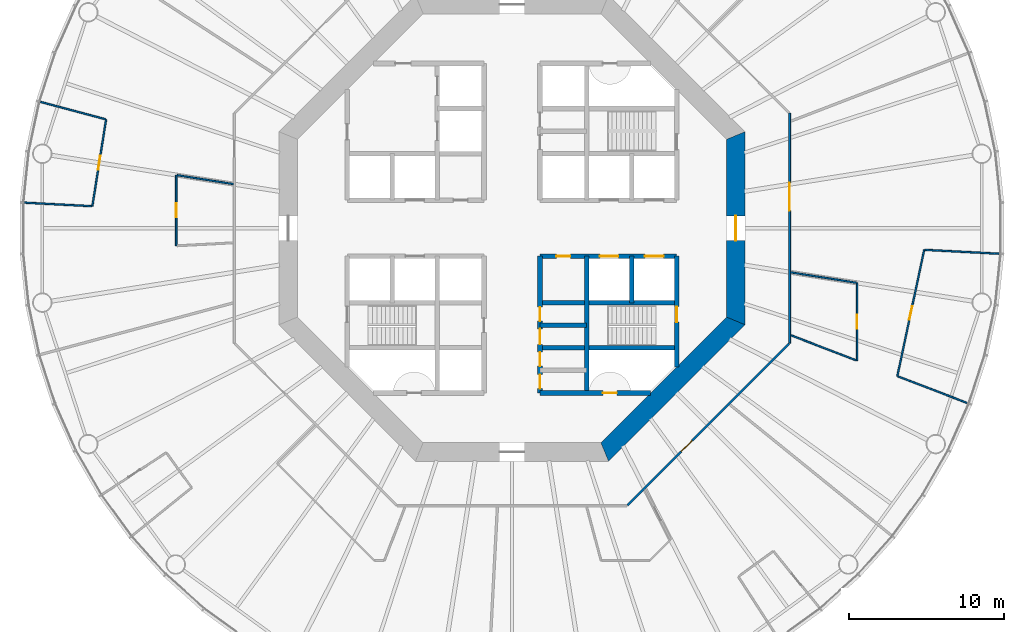
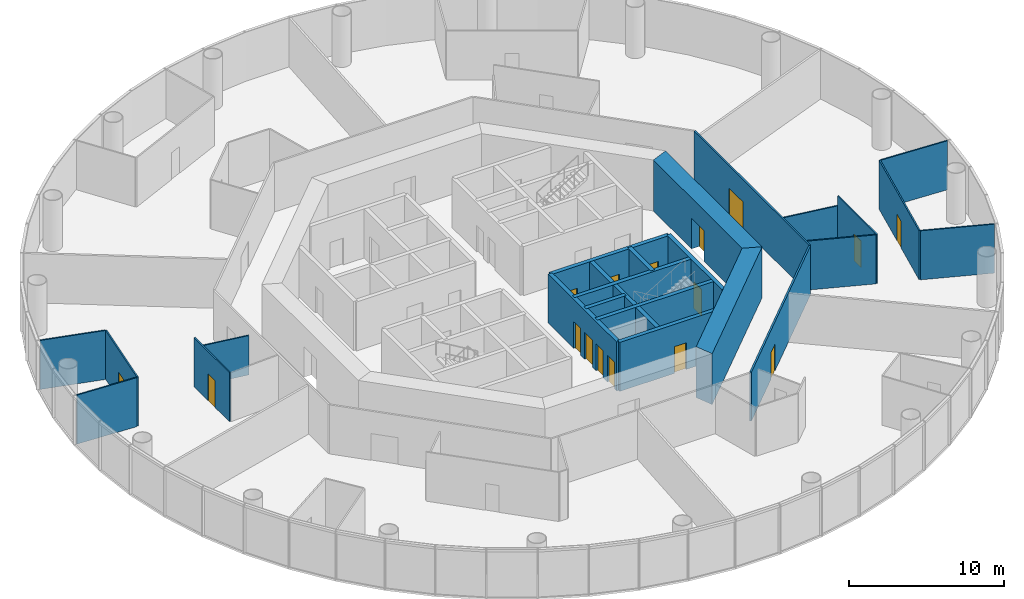
# One storey, part 4 of 13: 24 walls, 16 doors, 16 openings.
"""IFC4 building model written with IfcOpenShell, lengths in metres."""

from ifc_helpers import new_model, si_unit, direction, frame, frame_2d, origin, place, context, subcontext, project, spatial, polyline, rectangle, outline, extrude, material, layer, layer_set, type_object, element, fill, save


model = new_model("IFC4")

# Units and contexts
model_context = context("Model", 3, precision=1e-05, world=origin(), true_north=direction((0.0, 1.0)))
body_context = subcontext(model_context, "Body", "Model", "MODEL_VIEW")
ifc_project = project(units=[si_unit("LENGTHUNIT", "METRE"), si_unit("AREAUNIT", "SQUARE_METRE"), si_unit("VOLUMEUNIT", "CUBIC_METRE"), si_unit("PLANEANGLEUNIT", "RADIAN"), si_unit("MASSUNIT", "GRAM", prefix="KILO")], contexts=[model_context])

# Site, building, storey
site_placement = place(None, origin())
site = spatial("IfcSite", under=ifc_project, at=site_placement, CompositionType="ELEMENT")
building_placement = place(site_placement, origin())
building = spatial("IfcBuilding", under=site, at=building_placement, Name="Entoto Ring Tower", CompositionType="ELEMENT")
storey_placement = place(building_placement, frame((0.0, 0.0, 84.0)))
storey = spatial("IfcBuildingStorey", under=building, at=storey_placement, Name="L18", CompositionType="ELEMENT", Elevation=84.0)

# Wall, opening, door
ifc_material_1 = material(Name="Concrete C40/50", Category="concrete")
ifc_layer_1 = layer(ifc_material_1, 0.300048828125)
ifc_layer_set_1 = layer_set([ifc_layer_1], Name="Concrete C40/50")
wall_type_1 = type_object("IfcWallType", Name="Core enclosure wall 300 mm reinforced concrete", PredefinedType="SOLIDWALL", material=ifc_layer_set_1)
wall_1_placement = place(storey_placement, frame((100.60009765625, 71.083984375, 0.0), z_axis=(0.0, 0.0, 1.0), x_axis=(0.0, 1.0, 0.0)))
wall_1 = element("IfcWall", 1, at=wall_1_placement, inside=storey, type_object=wall_type_1, Name="wall-L18-001", PredefinedType="SOLIDWALL", context=body_context, shape_type="SweptSolid", body=[
    extrude(rectangle(XDim=7.115966796875, YDim=0.300048828125, at=frame_2d((3.55810546875, 0.0))), origin(), (0.0, 0.0, 1.0), 3.85009765625),
])
opening_1_placement = place(wall_1_placement, frame((2.8662109375, 0.0, 0.0)))
opening_1 = element("IfcOpeningElement", 2, at=opening_1_placement, cuts=wall_1, Name="Opening K-22", PredefinedType="OPENING", context=body_context, shape_type="SweptSolid", body=[
    extrude(rectangle(XDim=1.0, YDim=2.10009765625, at=frame_2d((0.5, 1.050048828125))), frame((0.0, 0.16015625, 0.0), z_axis=(0.0, -1.0, 0.0), x_axis=(1.0, 0.0, 0.0)), (0.0, 0.0, 1.0), 0.320068359375),
])
ifc_material_2 = material(Name="Steel door leaf, fire rated", Category="steel")
ifc_layer_2 = layer(ifc_material_2, 0.050048828125)
ifc_layer_set_2 = layer_set([ifc_layer_2], Name="Steel door leaf, fire rated")
door_type_1 = type_object("IfcDoorType", Name="Fire door FD60 1000 x 2100 single leaf", OperationType="NOTDEFINED", PredefinedType="DOOR", material=ifc_layer_set_2)
door_1_placement = place(opening_1_placement, origin())
door_1 = element("IfcDoor", 3, at=door_1_placement, inside=storey, type_object=door_type_1, Name="Door K-22", OperationType="SINGLE_SWING_RIGHT", OverallHeight=2.10009765625, OverallWidth=1.0, PredefinedType="DOOR", context=body_context, shape_type="SweptSolid", body=[
    extrude(rectangle(XDim=1.0, YDim=2.10009765625, at=frame_2d((0.5, 1.050048828125))), frame((0.0, 0.02490234375, 0.0), z_axis=(0.0, -1.0, 0.0), x_axis=(1.0, 0.0, 0.0)), (0.0, 0.0, 1.0), 0.050048828125),
])
fill(opening_1, door_1)

# Walls
wall_2_placement = place(storey_placement, frame((97.699951171875, 75.199951171875, 0.0), z_axis=(0.0, 0.0, 1.0), x_axis=(0.0, 1.0, 0.0)))
element("IfcWall", 4, at=wall_2_placement, inside=storey, type_object=wall_type_1, Name="wall-L18-003", PredefinedType="SOLIDWALL", context=body_context, shape_type="SweptSolid", body=[
    extrude(rectangle(XDim=3.0, YDim=0.300048828125, at=frame_2d((1.5, 0.0))), origin(), (0.0, 0.0, 1.0), 3.85009765625),
])
wall_3_placement = place(storey_placement, frame((94.800048828125, 69.39990234375, 0.0), z_axis=(0.0, 0.0, 1.0), x_axis=(0.0, 1.0, 0.0)))
element("IfcWall", 5, at=wall_3_placement, inside=storey, type_object=wall_type_1, Name="wall-L18-005", PredefinedType="SOLIDWALL", context=body_context, shape_type="SweptSolid", body=[
    extrude(rectangle(XDim=8.800048828125, YDim=0.300048828125, at=frame_2d((4.39990234375, 0.0))), origin(), (0.0, 0.0, 1.0), 3.85009765625),
])

# Wall, openings, doors
wall_4_placement = place(storey_placement, frame((91.800048828125, 69.39990234375, 0.0), z_axis=(0.0, 0.0, 1.0), x_axis=(0.0, 1.0, 0.0)))
wall_4 = element("IfcWall", 6, at=wall_4_placement, inside=storey, type_object=wall_type_1, Name="wall-L18-007", PredefinedType="SOLIDWALL", context=body_context, shape_type="SweptSolid", body=[
    extrude(rectangle(XDim=8.800048828125, YDim=0.300048828125, at=frame_2d((4.39990234375, 0.0))), origin(), (0.0, 0.0, 1.0), 3.85009765625),
])
opening_2_placement = place(wall_4_placement, frame((3.125, 0.0, 0.0)))
opening_2 = element("IfcOpeningElement", 7, at=opening_2_placement, cuts=wall_4, Name="Opening K-13", PredefinedType="OPENING", context=body_context, shape_type="SweptSolid", body=[
    extrude(rectangle(XDim=1.0, YDim=2.10009765625, at=frame_2d((0.5, 1.050048828125))), frame((0.0, 0.16015625, 0.0), z_axis=(0.0, -1.0, 0.0), x_axis=(1.0, 0.0, 0.0)), (0.0, 0.0, 1.0), 0.320068359375),
])
opening_3_placement = place(wall_4_placement, frame((4.625, 0.0, 0.0)))
opening_3 = element("IfcOpeningElement", 8, at=opening_3_placement, cuts=wall_4, Name="Opening K-14", PredefinedType="OPENING", context=body_context, shape_type="SweptSolid", body=[
    extrude(rectangle(XDim=0.89990234375, YDim=2.10009765625, at=frame_2d((0.449951171875, 1.050048828125))), frame((0.0, 0.16015625, 0.0), z_axis=(0.0, -1.0, 0.0), x_axis=(1.0, 0.0, 0.0)), (0.0, 0.0, 1.0), 0.320068359375),
])
opening_4_placement = place(wall_4_placement, frame((0.27490234375, 0.0, 0.0)))
opening_4 = element("IfcOpeningElement", 9, at=opening_4_placement, cuts=wall_4, Name="Opening K-15", PredefinedType="OPENING", context=body_context, shape_type="SweptSolid", body=[
    extrude(rectangle(XDim=0.89990234375, YDim=2.10009765625, at=frame_2d((0.449951171875, 1.050048828125))), frame((0.0, 0.16015625, 0.0), z_axis=(0.0, -1.0, 0.0), x_axis=(1.0, 0.0, 0.0)), (0.0, 0.0, 1.0), 0.320068359375),
])
opening_5_placement = place(wall_4_placement, frame((1.72509765625, 0.0, 0.0)))
opening_5 = element("IfcOpeningElement", 10, at=opening_5_placement, cuts=wall_4, Name="Opening K-16", PredefinedType="OPENING", context=body_context, shape_type="SweptSolid", body=[
    extrude(rectangle(XDim=0.89990234375, YDim=2.10009765625, at=frame_2d((0.449951171875, 1.050048828125))), frame((0.0, 0.16015625, 0.0), z_axis=(0.0, -1.0, 0.0), x_axis=(1.0, 0.0, 0.0)), (0.0, 0.0, 1.0), 0.320068359375),
])
ifc_material_3 = material(Name="Steel door leaf, fire rated", Category="steel")
ifc_layer_3 = layer(ifc_material_3, 0.050048828125)
ifc_layer_set_3 = layer_set([ifc_layer_3], Name="Steel door leaf, fire rated")
door_type_2 = type_object("IfcDoorType", Name="Accessible door 1000 x 2100 single leaf", OperationType="NOTDEFINED", PredefinedType="DOOR", material=ifc_layer_set_3)
door_2_placement = place(opening_2_placement, frame((1.0, 0.0, 0.0), z_axis=(0.0, 0.0, 1.0), x_axis=(-1.0, 0.0, 0.0)))
door_2 = element("IfcDoor", 11, at=door_2_placement, inside=storey, type_object=door_type_2, Name="Door K-13", OperationType="SINGLE_SWING_LEFT", OverallHeight=2.10009765625, OverallWidth=1.0, PredefinedType="DOOR", context=body_context, shape_type="SweptSolid", body=[
    extrude(rectangle(XDim=1.0, YDim=2.10009765625, at=frame_2d((0.5, 1.050048828125))), frame((0.0, 0.02490234375, 0.0), z_axis=(0.0, -1.0, 0.0), x_axis=(1.0, 0.0, 0.0)), (0.0, 0.0, 1.0), 0.050048828125),
])
fill(opening_2, door_2)
ifc_material_4 = material(Name="Steel door leaf, fire rated", Category="steel")
ifc_layer_4 = layer(ifc_material_4, 0.050048828125)
ifc_layer_set_4 = layer_set([ifc_layer_4], Name="Steel door leaf, fire rated")
door_type_3 = type_object("IfcDoorType", Name="Core door 900 x 2100 single leaf", OperationType="NOTDEFINED", PredefinedType="DOOR", material=ifc_layer_set_4)
door_3_placement = place(opening_3_placement, frame((0.89990234375, 0.0, 0.0), z_axis=(0.0, 0.0, 1.0), x_axis=(-1.0, 0.0, 0.0)))
door_3 = element("IfcDoor", 12, at=door_3_placement, inside=storey, type_object=door_type_3, Name="Door K-14", OperationType="SINGLE_SWING_LEFT", OverallHeight=2.10009765625, OverallWidth=0.89990234375, PredefinedType="DOOR", context=body_context, shape_type="SweptSolid", body=[
    extrude(rectangle(XDim=0.89990234375, YDim=2.10009765625, at=frame_2d((0.449951171875, 1.050048828125))), frame((0.0, 0.02490234375, 0.0), z_axis=(0.0, -1.0, 0.0), x_axis=(1.0, 0.0, 0.0)), (0.0, 0.0, 1.0), 0.050048828125),
])
fill(opening_3, door_3)
door_4_placement = place(opening_4_placement, frame((0.89990234375, 0.0, 0.0), z_axis=(0.0, 0.0, 1.0), x_axis=(-1.0, 0.0, 0.0)))
door_4 = element("IfcDoor", 13, at=door_4_placement, inside=storey, type_object=door_type_3, Name="Door K-15", OperationType="SINGLE_SWING_LEFT", OverallHeight=2.10009765625, OverallWidth=0.89990234375, PredefinedType="DOOR", context=body_context, shape_type="SweptSolid", body=[
    extrude(rectangle(XDim=0.89990234375, YDim=2.10009765625, at=frame_2d((0.449951171875, 1.050048828125))), frame((0.0, 0.02490234375, 0.0), z_axis=(0.0, -1.0, 0.0), x_axis=(1.0, 0.0, 0.0)), (0.0, 0.0, 1.0), 0.050048828125),
])
fill(opening_4, door_4)
door_5_placement = place(opening_5_placement, frame((0.89990234375, 0.0, 0.0), z_axis=(0.0, 0.0, 1.0), x_axis=(-1.0, 0.0, 0.0)))
door_5 = element("IfcDoor", 14, at=door_5_placement, inside=storey, type_object=door_type_3, Name="Door K-16", OperationType="SINGLE_SWING_LEFT", OverallHeight=2.10009765625, OverallWidth=0.89990234375, PredefinedType="DOOR", context=body_context, shape_type="SweptSolid", body=[
    extrude(rectangle(XDim=0.89990234375, YDim=2.10009765625, at=frame_2d((0.449951171875, 1.050048828125))), frame((0.0, 0.02490234375, 0.0), z_axis=(0.0, -1.0, 0.0), x_axis=(1.0, 0.0, 0.0)), (0.0, 0.0, 1.0), 0.050048828125),
])
fill(opening_5, door_5)

# Wall, opening, door
wall_5_placement = place(storey_placement, frame((91.800048828125, 69.39990234375, 0.0), z_axis=(0.0, 0.0, 1.0), x_axis=(1.0, 0.0, 0.0)))
wall_5 = element("IfcWall", 15, at=wall_5_placement, inside=storey, type_object=wall_type_1, Name="wall-L18-018", PredefinedType="SOLIDWALL", context=body_context, shape_type="SweptSolid", body=[
    extrude(rectangle(XDim=7.115966796875, YDim=0.300048828125, at=frame_2d((3.55810546875, 0.0))), origin(), (0.0, 0.0, 1.0), 3.85009765625),
])
opening_6_placement = place(wall_5_placement, frame((4.050048828125, 0.0, 0.0)))
opening_6 = element("IfcOpeningElement", 16, at=opening_6_placement, cuts=wall_5, Name="Opening K-75", PredefinedType="OPENING", context=body_context, shape_type="SweptSolid", body=[
    extrude(rectangle(XDim=0.89990234375, YDim=2.10009765625, at=frame_2d((0.449951171875, 1.050048828125))), frame((0.0, 0.16015625, 0.0), z_axis=(0.0, -1.0, 0.0), x_axis=(1.0, 0.0, 0.0)), (0.0, 0.0, 1.0), 0.320068359375),
])
ifc_material_5 = material(Name="Steel door leaf, fire rated", Category="steel")
ifc_layer_5 = layer(ifc_material_5, 0.050048828125)
ifc_layer_set_5 = layer_set([ifc_layer_5], Name="Steel door leaf, fire rated")
door_type_4 = type_object("IfcDoorType", Name="Riser door FD60 900 x 2100 single leaf", OperationType="NOTDEFINED", PredefinedType="DOOR", material=ifc_layer_set_5)
door_6_placement = place(opening_6_placement, origin())
door_6 = element("IfcDoor", 17, at=door_6_placement, inside=storey, type_object=door_type_4, Name="Door K-75", OperationType="SINGLE_SWING_LEFT", OverallHeight=2.10009765625, OverallWidth=0.89990234375, PredefinedType="DOOR", context=body_context, shape_type="SweptSolid", body=[
    extrude(rectangle(XDim=0.89990234375, YDim=2.10009765625, at=frame_2d((0.449951171875, 1.050048828125))), frame((0.0, 0.02490234375, 0.0), z_axis=(0.0, -1.0, 0.0), x_axis=(1.0, 0.0, 0.0)), (0.0, 0.0, 1.0), 0.050048828125),
])
fill(opening_6, door_6)

# Walls
wall_6_placement = place(storey_placement, frame((91.800048828125, 72.300048828125, 0.0), z_axis=(0.0, 0.0, 1.0), x_axis=(1.0, 0.0, 0.0)))
element("IfcWall", 18, at=wall_6_placement, inside=storey, type_object=wall_type_1, Name="wall-L18-021", PredefinedType="SOLIDWALL", context=body_context, shape_type="SweptSolid", body=[
    extrude(rectangle(XDim=8.800048828125, YDim=0.300048828125, at=frame_2d((4.39990234375, 0.0))), origin(), (0.0, 0.0, 1.0), 3.85009765625),
])
wall_7_placement = place(storey_placement, frame((91.800048828125, 73.75, 0.0), z_axis=(0.0, 0.0, 1.0), x_axis=(1.0, 0.0, 0.0)))
element("IfcWall", 19, at=wall_7_placement, inside=storey, type_object=wall_type_1, Name="wall-L18-022", PredefinedType="SOLIDWALL", context=body_context, shape_type="SweptSolid", body=[
    extrude(rectangle(XDim=3.0, YDim=0.300048828125, at=frame_2d((1.5, 0.0))), origin(), (0.0, 0.0, 1.0), 3.85009765625),
])
wall_8_placement = place(storey_placement, frame((91.800048828125, 75.199951171875, 0.0), z_axis=(0.0, 0.0, 1.0), x_axis=(1.0, 0.0, 0.0)))
element("IfcWall", 20, at=wall_8_placement, inside=storey, type_object=wall_type_1, Name="wall-L18-024", PredefinedType="SOLIDWALL", context=body_context, shape_type="SweptSolid", body=[
    extrude(rectangle(XDim=8.800048828125, YDim=0.300048828125, at=frame_2d((4.39990234375, 0.0))), origin(), (0.0, 0.0, 1.0), 3.85009765625),
])

# Wall, openings, doors
wall_9_placement = place(storey_placement, frame((91.800048828125, 78.199951171875, 0.0), z_axis=(0.0, 0.0, 1.0), x_axis=(1.0, 0.0, 0.0)))
wall_9 = element("IfcWall", 21, at=wall_9_placement, inside=storey, type_object=wall_type_1, Name="wall-L18-026", PredefinedType="SOLIDWALL", context=body_context, shape_type="SweptSolid", body=[
    extrude(rectangle(XDim=8.800048828125, YDim=0.300048828125, at=frame_2d((4.39990234375, 0.0))), origin(), (0.0, 0.0, 1.0), 3.85009765625),
])
opening_7_placement = place(wall_9_placement, frame((3.85009765625, 0.0, 0.0)))
opening_7 = element("IfcOpeningElement", 22, at=opening_7_placement, cuts=wall_9, Name="Opening LD", PredefinedType="OPENING", context=body_context, shape_type="SweptSolid", body=[
    extrude(rectangle(XDim=1.199951171875, YDim=2.10009765625, at=frame_2d((0.60009765625, 1.050048828125))), frame((0.0, 0.16015625, 0.0), z_axis=(0.0, -1.0, 0.0), x_axis=(1.0, 0.0, 0.0)), (0.0, 0.0, 1.0), 0.320068359375),
])
opening_8_placement = place(wall_9_placement, frame((6.75, 0.0, 0.0)))
opening_8 = element("IfcOpeningElement", 23, at=opening_8_placement, cuts=wall_9, Name="Opening LD", PredefinedType="OPENING", context=body_context, shape_type="SweptSolid", body=[
    extrude(rectangle(XDim=1.199951171875, YDim=2.10009765625, at=frame_2d((0.60009765625, 1.050048828125))), frame((0.0, 0.16015625, 0.0), z_axis=(0.0, -1.0, 0.0), x_axis=(1.0, 0.0, 0.0)), (0.0, 0.0, 1.0), 0.320068359375),
])
opening_9_placement = place(wall_9_placement, frame((1.050048828125, 0.0, 0.0)))
opening_9 = element("IfcOpeningElement", 24, at=opening_9_placement, cuts=wall_9, Name="Opening K-19", PredefinedType="OPENING", context=body_context, shape_type="SweptSolid", body=[
    extrude(rectangle(XDim=0.89990234375, YDim=2.10009765625, at=frame_2d((0.449951171875, 1.050048828125))), frame((0.0, 0.16015625, 0.0), z_axis=(0.0, -1.0, 0.0), x_axis=(1.0, 0.0, 0.0)), (0.0, 0.0, 1.0), 0.320068359375),
])
door_7_placement = place(opening_9_placement, frame((0.89990234375, 0.0, 0.0), z_axis=(0.0, 0.0, 1.0), x_axis=(-1.0, 0.0, 0.0)))
door_7 = element("IfcDoor", 25, at=door_7_placement, inside=storey, type_object=door_type_3, Name="Door K-19", OperationType="SINGLE_SWING_RIGHT", OverallHeight=2.10009765625, OverallWidth=0.89990234375, PredefinedType="DOOR", context=body_context, shape_type="SweptSolid", body=[
    extrude(rectangle(XDim=0.89990234375, YDim=2.10009765625, at=frame_2d((0.449951171875, 1.050048828125))), frame((0.0, 0.02490234375, 0.0), z_axis=(0.0, -1.0, 0.0), x_axis=(1.0, 0.0, 0.0)), (0.0, 0.0, 1.0), 0.050048828125),
])
fill(opening_9, door_7)
ifc_material_6 = material(Name="Steel and glass door leaf", Category="steel")
ifc_layer_6 = layer(ifc_material_6, 0.050048828125)
ifc_layer_set_6 = layer_set([ifc_layer_6], Name="Steel and glass door leaf")
door_type_5 = type_object("IfcDoorType", Name="Landing door 1200 x 2100 sliding", OperationType="DOUBLE_DOOR_SLIDING", PredefinedType="DOOR", material=ifc_layer_set_6)
door_8_placement = place(opening_7_placement, origin())
door_8 = element("IfcDoor", 26, at=door_8_placement, inside=storey, type_object=door_type_5, Name="Landing door LB4-LR", OperationType="SLIDING_TO_RIGHT", OverallHeight=2.10009765625, OverallWidth=1.199951171875, PredefinedType="DOOR", context=body_context, shape_type="SweptSolid", body=[
    extrude(rectangle(XDim=1.199951171875, YDim=2.10009765625, at=frame_2d((0.60009765625, 1.050048828125))), frame((0.0, 0.02490234375, 0.0), z_axis=(0.0, -1.0, 0.0), x_axis=(1.0, 0.0, 0.0)), (0.0, 0.0, 1.0), 0.050048828125),
])
fill(opening_7, door_8)
door_9_placement = place(opening_8_placement, origin())
door_9 = element("IfcDoor", 27, at=door_9_placement, inside=storey, type_object=door_type_5, Name="Landing door LB5-LR", OperationType="SLIDING_TO_RIGHT", OverallHeight=2.10009765625, OverallWidth=1.199951171875, PredefinedType="DOOR", context=body_context, shape_type="SweptSolid", body=[
    extrude(rectangle(XDim=1.199951171875, YDim=2.10009765625, at=frame_2d((0.60009765625, 1.050048828125))), frame((0.0, 0.02490234375, 0.0), z_axis=(0.0, -1.0, 0.0), x_axis=(1.0, 0.0, 0.0)), (0.0, 0.0, 1.0), 0.050048828125),
])
fill(opening_8, door_9)

# Wall, opening, door
ifc_material_7 = material(Name="Concrete C60/75", Category="concrete")
ifc_layer_7 = layer(ifc_material_7, 1.199951171875)
ifc_layer_set_7 = layer_set([ifc_layer_7], Name="Concrete C60/75")
wall_type_2 = type_object("IfcWallType", Name="Core shear wall 1200 mm reinforced concrete C60/75", PredefinedType="SHEAR", material=ifc_layer_set_7)
wall_10_placement = place(storey_placement, frame((104.39990234375, 74.035400390625, 0.0), z_axis=(0.0, 0.0, 1.0), x_axis=(0.0, 1.0, 0.0)))
wall_10 = element("IfcWall", 28, at=wall_10_placement, inside=storey, type_object=wall_type_2, Name="wall-L18-core-0", PredefinedType="SHEAR", context=body_context, shape_type="SweptSolid", body=[
    extrude(outline(polyline([(-0.24853515625, -0.60009765625), (12.177734375, -0.60009765625), (11.6806640625, 0.60009765625), (0.24853515625, 0.60009765625), (-0.24853515625, -0.60009765625)])), origin(), (0.0, 0.0, 1.0), 4.0),
])
opening_10_placement = place(wall_10_placement, frame((5.164794921875, 0.0, 0.0)))
opening_10 = element("IfcOpeningElement", 29, at=opening_10_placement, cuts=wall_10, Name="Opening K-01", PredefinedType="OPENING", context=body_context, shape_type="SweptSolid", body=[
    extrude(rectangle(XDim=1.60009765625, YDim=2.39990234375, at=frame_2d((0.800048828125, 1.199951171875))), frame((0.0, 0.60986328125, 0.0), z_axis=(0.0, -1.0, 0.0), x_axis=(1.0, 0.0, 0.0)), (0.0, 0.0, 1.0), 1.219970703125),
])
ifc_material_8 = material(Name="Steel door leaf, fire rated", Category="steel")
ifc_layer_8 = layer(ifc_material_8, 0.050048828125)
ifc_layer_set_8 = layer_set([ifc_layer_8], Name="Steel door leaf, fire rated")
door_type_6 = type_object("IfcDoorType", Name="Entrance door FD60 1600 x 2400 double leaf", OperationType="DOUBLE_DOOR_SINGLE_SWING", PredefinedType="DOOR", material=ifc_layer_set_8)
door_10_placement = place(opening_10_placement, origin())
door_10 = element("IfcDoor", 30, at=door_10_placement, inside=storey, type_object=door_type_6, Name="Entrance door K-01", OperationType="DOUBLE_DOOR_SINGLE_SWING", OverallHeight=2.39990234375, OverallWidth=1.60009765625, PredefinedType="DOOR", context=body_context, shape_type="SweptSolid", body=[
    extrude(rectangle(XDim=1.60009765625, YDim=2.39990234375, at=frame_2d((0.800048828125, 1.199951171875))), frame((0.0, 0.02490234375, 0.0), z_axis=(0.0, -1.0, 0.0), x_axis=(1.0, 0.0, 0.0)), (0.0, 0.0, 1.0), 0.050048828125),
])
fill(opening_10, door_10)

# Wall
wall_11_placement = place(storey_placement, frame((95.964599609375, 65.60009765625, 0.0), z_axis=(0.0, 0.0, 1.0), x_axis=(0.707106781187, 0.707106781187, 0.0)))
element("IfcWall", 31, at=wall_11_placement, inside=storey, type_object=wall_type_2, Name="wall-L18-core-7", PredefinedType="SHEAR", context=body_context, shape_type="SweptSolid", body=[
    extrude(outline(polyline([(-0.24853515625, -0.60009765625), (12.177734375, -0.60009765625), (11.6806640625, 0.60009765625), (0.24853515625, 0.60009765625), (-0.24853515625, -0.60009765625)])), origin(), (0.0, 0.0, 1.0), 4.0),
])

# Wall, opening, door
ifc_material_9 = material(Name="Fire-resisting plasterboard on steel studs", Category="steel")
ifc_layer_9 = layer(ifc_material_9, 0.125)
ifc_layer_set_9 = layer_set([ifc_layer_9], Name="Fire-resisting plasterboard on steel studs")
wall_type_3 = type_object("IfcWallType", Name="Corridor wall 125 mm one-hour plasterboard on steel studs", PredefinedType="PARTITIONING", material=ifc_layer_set_9)
wall_12_placement = place(storey_placement, frame((107.862548828125, 72.60107421875, 0.0), z_axis=(0.0, 0.0, 1.0), x_axis=(0.0, 1.0, 0.0)))
wall_12 = element("IfcWall", 32, at=wall_12_placement, inside=storey, type_object=wall_type_3, Name="partition-L18-004", PredefinedType="PARTITIONING", context=body_context, shape_type="SweptSolid", body=[
    extrude(rectangle(XDim=14.7978515625, YDim=0.125, at=frame_2d((7.39892578125, 0.0))), origin(), (0.0, 0.0, 1.0), 3.85009765625),
])
opening_11_placement = place(wall_12_placement, frame((8.5126953125, 0.0, 0.0)))
opening_11 = element("IfcOpeningElement", 33, at=opening_11_placement, cuts=wall_12, Name="Opening A08-D01", PredefinedType="OPENING", context=body_context, shape_type="SweptSolid", body=[
    extrude(rectangle(XDim=1.800048828125, YDim=2.10009765625, at=frame_2d((0.89990234375, 1.050048828125))), frame((0.0, 0.072509765625, 0.0), z_axis=(0.0, -1.0, 0.0), x_axis=(1.0, 0.0, 0.0)), (0.0, 0.0, 1.0), 0.14501953125),
])
ifc_material_10 = material(Name="Fire-resisting timber door set", Category="wood")
door_type_7 = type_object("IfcDoorType", Name="Door 1800 x 2100 double leaf FD30S fire door", OperationType="DOUBLE_DOOR_SINGLE_SWING", PredefinedType="DOOR", material=ifc_material_10)
door_11_placement = place(opening_11_placement, frame((1.800048828125, 0.0, 0.0), z_axis=(0.0, 0.0, 1.0), x_axis=(-1.0, 0.0, 0.0)))
door_11 = element("IfcDoor", 34, at=door_11_placement, inside=storey, type_object=door_type_7, Name="Door A08-D01", OperationType="DOUBLE_DOOR_SINGLE_SWING", OverallHeight=2.10009765625, OverallWidth=1.800048828125, PredefinedType="DOOR", context=body_context, shape_type="SweptSolid", body=[
    extrude(rectangle(XDim=1.800048828125, YDim=2.10009765625, at=frame_2d((0.89990234375, 1.050048828125))), frame((0.0, 0.02490234375, 0.0), z_axis=(0.0, -1.0, 0.0), x_axis=(1.0, 0.0, 0.0)), (0.0, 0.0, 1.0), 0.050048828125),
])
fill(opening_11, door_11)

wall_13_placement = place(storey_placement, frame((97.429931640625, 62.168701171875, 0.0), z_axis=(0.0, 0.0, 1.0), x_axis=(0.707106781187, 0.707106781187, 0.0)))
wall_13 = element("IfcWall", 35, at=wall_13_placement, inside=storey, type_object=wall_type_3, Name="partition-L18-007", PredefinedType="PARTITIONING", context=body_context, shape_type="SweptSolid", body=[
    extrude(rectangle(XDim=14.709716796875, YDim=0.125, at=frame_2d((7.35498046875, 0.0))), origin(), (0.0, 0.0, 1.0), 3.85009765625),
])
opening_12_placement = place(wall_13_placement, frame((4.8916015625, 0.0, 0.0)))
opening_12 = element("IfcOpeningElement", 36, at=opening_12_placement, cuts=wall_13, Name="Opening A08-D16", PredefinedType="OPENING", context=body_context, shape_type="SweptSolid", body=[
    extrude(rectangle(XDim=1.0, YDim=2.10009765625, at=frame_2d((0.5, 1.050048828125))), frame((0.0, 0.072509765625, 0.0), z_axis=(0.0, -1.0, 0.0), x_axis=(1.0, 0.0, 0.0)), (0.0, 0.0, 1.0), 0.14501953125),
])
ifc_material_11 = material(Name="Fire-resisting timber door set", Category="wood")
door_type_8 = type_object("IfcDoorType", Name="Door 1000 x 2100 single leaf FD30S fire door", OperationType="NOTDEFINED", PredefinedType="DOOR", material=ifc_material_11)
door_12_placement = place(opening_12_placement, frame((1.0, 0.0, 0.0), z_axis=(0.0, 0.0, 1.0), x_axis=(-1.0, 0.0, 0.0)))
door_12 = element("IfcDoor", 37, at=door_12_placement, inside=storey, type_object=door_type_8, Name="Door A08-D16", OperationType="SINGLE_SWING_LEFT", OverallHeight=2.10009765625, OverallWidth=1.0, PredefinedType="DOOR", context=body_context, shape_type="SweptSolid", body=[
    extrude(rectangle(XDim=1.0, YDim=2.10009765625, at=frame_2d((0.5, 1.050048828125))), frame((0.0, 0.02490234375, 0.0), z_axis=(0.0, -1.0, 0.0), x_axis=(1.0, 0.0, 0.0)), (0.0, 0.0, 1.0), 0.050048828125),
])
fill(opening_12, door_12)

ifc_material_12 = material(Name="Plasterboard on steel studs", Category="steel")
ifc_layer_10 = layer(ifc_material_12, 0.10009765625)
ifc_layer_set_10 = layer_set([ifc_layer_10], Name="Plasterboard on steel studs")
wall_type_4 = type_object("IfcWallType", Name="Partition 100 mm plasterboard on steel studs", PredefinedType="PARTITIONING", material=ifc_layer_set_10)
wall_14_placement = place(storey_placement, frame((114.7958984375, 70.481689453125, 0.0), z_axis=(0.0, 0.0, 1.0), x_axis=(0.207915677691, 0.978146753289, 0.0)))
wall_14 = element("IfcWall", 38, at=wall_14_placement, inside=storey, type_object=wall_type_4, Name="partition-L18-018", PredefinedType="PARTITIONING", context=body_context, shape_type="SweptSolid", body=[
    extrude(rectangle(XDim=8.31005859375, YDim=0.10009765625, at=frame_2d((4.155029296875, 0.0))), origin(), (0.0, 0.0, 1.0), 3.85009765625),
])
opening_13_placement = place(wall_14_placement, frame((3.704833984375, 0.0, 0.0)))
opening_13 = element("IfcOpeningElement", 39, at=opening_13_placement, cuts=wall_14, Name="Opening A08-D03", PredefinedType="OPENING", context=body_context, shape_type="SweptSolid", body=[
    extrude(rectangle(XDim=0.89990234375, YDim=2.10009765625, at=frame_2d((0.449951171875, 1.050048828125))), frame((0.0, 0.06005859375, 0.0), z_axis=(0.0, -1.0, 0.0), x_axis=(1.0, 0.0, 0.0)), (0.0, 0.0, 1.0), 0.1201171875),
])
ifc_material_13 = material(Name="Veneered timber door leaf in timber frame", Category="wood")
door_type_9 = type_object("IfcDoorType", Name="Door 900 x 2100 single leaf timber veneer", OperationType="NOTDEFINED", PredefinedType="DOOR", material=ifc_material_13)
door_13_placement = place(opening_13_placement, frame((0.89990234375, 0.0, 0.0), z_axis=(0.0, 0.0, 1.0), x_axis=(-1.0, 0.0, 0.0)))
door_13 = element("IfcDoor", 40, at=door_13_placement, inside=storey, type_object=door_type_9, Name="Door A08-D03", OperationType="SINGLE_SWING_RIGHT", OverallHeight=2.10009765625, OverallWidth=0.89990234375, PredefinedType="DOOR", context=body_context, shape_type="SweptSolid", body=[
    extrude(rectangle(XDim=0.89990234375, YDim=2.10009765625, at=frame_2d((0.449951171875, 1.050048828125))), frame((0.0, 0.02490234375, 0.0), z_axis=(0.0, -1.0, 0.0), x_axis=(1.0, 0.0, 0.0)), (0.0, 0.0, 1.0), 0.050048828125),
])
fill(opening_13, door_13)

wall_15_placement = place(storey_placement, frame((62.9970703125, 81.415283203125, 0.0), z_axis=(0.0, 0.0, 1.0), x_axis=(0.156430514492, 0.987688966292, 0.0)))
wall_15 = element("IfcWall", 41, at=wall_15_placement, inside=storey, type_object=wall_type_4, Name="partition-L18-020", PredefinedType="PARTITIONING", context=body_context, shape_type="SweptSolid", body=[
    extrude(rectangle(XDim=5.65283203125, YDim=0.10009765625, at=frame_2d((2.826416015625, 0.0))), origin(), (0.0, 0.0, 1.0), 3.85009765625),
])
opening_14_placement = place(wall_15_placement, frame((2.37646484375, 0.0, 0.0)))
opening_14 = element("IfcOpeningElement", 42, at=opening_14_placement, cuts=wall_15, Name="Opening A08-D12", PredefinedType="OPENING", context=body_context, shape_type="SweptSolid", body=[
    extrude(rectangle(XDim=0.89990234375, YDim=2.10009765625, at=frame_2d((0.449951171875, 1.050048828125))), frame((0.0, 0.06005859375, 0.0), z_axis=(0.0, -1.0, 0.0), x_axis=(1.0, 0.0, 0.0)), (0.0, 0.0, 1.0), 0.1201171875),
])
door_14_placement = place(opening_14_placement, origin())
door_14 = element("IfcDoor", 43, at=door_14_placement, inside=storey, type_object=door_type_9, Name="Door A08-D12", OperationType="SINGLE_SWING_LEFT", OverallHeight=2.10009765625, OverallWidth=0.89990234375, PredefinedType="DOOR", context=body_context, shape_type="SweptSolid", body=[
    extrude(rectangle(XDim=0.89990234375, YDim=2.10009765625, at=frame_2d((0.449951171875, 1.050048828125))), frame((0.0, 0.02490234375, 0.0), z_axis=(0.0, -1.0, 0.0), x_axis=(1.0, 0.0, 0.0)), (0.0, 0.0, 1.0), 0.050048828125),
])
fill(opening_14, door_14)

wall_16_placement = place(storey_placement, frame((112.202392578125, 71.477294921875, 0.0), z_axis=(0.0, 0.0, 1.0), x_axis=(0.0, 1.0, 0.0)))
wall_16 = element("IfcWall", 44, at=wall_16_placement, inside=storey, type_object=wall_type_4, Name="partition-L18-021", PredefinedType="PARTITIONING", context=body_context, shape_type="SweptSolid", body=[
    extrude(rectangle(XDim=5.006103515625, YDim=0.10009765625, at=frame_2d((2.5029296875, 0.0))), origin(), (0.0, 0.0, 1.0), 3.85009765625),
])
opening_15_placement = place(wall_16_placement, frame((2.052978515625, 0.0, 0.0)))
opening_15 = element("IfcOpeningElement", 45, at=opening_15_placement, cuts=wall_16, Name="Opening A08-D02", PredefinedType="OPENING", context=body_context, shape_type="SweptSolid", body=[
    extrude(rectangle(XDim=0.89990234375, YDim=2.10009765625, at=frame_2d((0.449951171875, 1.050048828125))), frame((0.0, 0.06005859375, 0.0), z_axis=(0.0, -1.0, 0.0), x_axis=(1.0, 0.0, 0.0)), (0.0, 0.0, 1.0), 0.1201171875),
])
door_15_placement = place(opening_15_placement, origin())
door_15 = element("IfcDoor", 46, at=door_15_placement, inside=storey, type_object=door_type_9, Name="Door A08-D02", OperationType="SINGLE_SWING_LEFT", OverallHeight=2.10009765625, OverallWidth=0.89990234375, PredefinedType="DOOR", context=body_context, shape_type="SweptSolid", body=[
    extrude(rectangle(XDim=0.89990234375, YDim=2.10009765625, at=frame_2d((0.449951171875, 1.050048828125))), frame((0.0, 0.02490234375, 0.0), z_axis=(0.0, -1.0, 0.0), x_axis=(1.0, 0.0, 0.0)), (0.0, 0.0, 1.0), 0.050048828125),
])
fill(opening_15, door_15)

# Walls
for number, where, z_axis, x_axis, name in (
    (47, (121.39697265625, 78.3544921875, 0.0), (0.0, 0.0, 1.0), (-0.998628419146, 0.05235723898, 0.0), "partition-L18-024"),
    (48, (119.351806640625, 68.73291015625, 0.0), (0.0, 0.0, 1.0), (-0.933582460858, 0.35836264981, 0.0), "partition-L18-025"),
):
    element("IfcWall", number, at=place(storey_placement, frame(where, z_axis=z_axis, x_axis=x_axis)), inside=storey, type_object=wall_type_4, Name=name, PredefinedType="PARTITIONING", context=body_context, shape_type="SweptSolid", body=[
        extrude(rectangle(XDim=4.830810546875, YDim=0.10009765625, at=frame_2d((2.41552734375, 0.0))), origin(), (0.0, 0.0, 1.0), 3.85009765625),
    ])
wall_17_placement = place(storey_placement, frame((112.134765625, 71.50341796875, 0.0), z_axis=(0.0, 0.0, 1.0), x_axis=(-0.933597625222, 0.358323142121, 0.0)))
element("IfcWall", 49, at=wall_17_placement, inside=storey, type_object=wall_type_4, Name="partition-L18-028", PredefinedType="PARTITIONING", context=body_context, shape_type="SweptSolid", body=[
    extrude(rectangle(XDim=4.489990234375, YDim=0.10009765625, at=frame_2d((2.2451171875, 0.0))), origin(), (0.0, 0.0, 1.0), 3.85009765625),
])

# Wall, opening, door
wall_18_placement = place(storey_placement, frame((68.3974609375, 78.867919921875, 0.0), z_axis=(0.0, 0.0, 1.0), x_axis=(0.0, 1.0, 0.0)))
wall_18 = element("IfcWall", 50, at=wall_18_placement, inside=storey, type_object=wall_type_4, Name="partition-L18-029", PredefinedType="PARTITIONING", context=body_context, shape_type="SweptSolid", body=[
    extrude(rectangle(XDim=4.553466796875, YDim=0.10009765625, at=frame_2d((2.27685546875, 0.0))), origin(), (0.0, 0.0, 1.0), 3.85009765625),
])
opening_16_placement = place(wall_18_placement, frame((1.826904296875, 0.0, 0.0)))
opening_16 = element("IfcOpeningElement", 51, at=opening_16_placement, cuts=wall_18, Name="Opening A08-D11", PredefinedType="OPENING", context=body_context, shape_type="SweptSolid", body=[
    extrude(rectangle(XDim=0.89990234375, YDim=2.10009765625, at=frame_2d((0.449951171875, 1.050048828125))), frame((0.0, 0.06005859375, 0.0), z_axis=(0.0, -1.0, 0.0), x_axis=(1.0, 0.0, 0.0)), (0.0, 0.0, 1.0), 0.1201171875),
])
door_16_placement = place(opening_16_placement, frame((0.89990234375, 0.0, 0.0), z_axis=(0.0, 0.0, 1.0), x_axis=(-1.0, 0.0, 0.0)))
door_16 = element("IfcDoor", 52, at=door_16_placement, inside=storey, type_object=door_type_9, Name="Door A08-D11", OperationType="SINGLE_SWING_LEFT", OverallHeight=2.10009765625, OverallWidth=0.89990234375, PredefinedType="DOOR", context=body_context, shape_type="SweptSolid", body=[
    extrude(rectangle(XDim=0.89990234375, YDim=2.10009765625, at=frame_2d((0.449951171875, 1.050048828125))), frame((0.0, 0.02490234375, 0.0), z_axis=(0.0, -1.0, 0.0), x_axis=(1.0, 0.0, 0.0)), (0.0, 0.0, 1.0), 0.050048828125),
])
fill(opening_16, door_16)

# Walls
for number, where, z_axis, x_axis, name in (
    (53, (63.83349609375, 87.01123046875, 0.0), (0.0, 0.0, 1.0), (-0.965925005542, 0.258822108155, 0.0), "partition-L18-032"),
    (54, (62.947509765625, 81.417724609375, 0.0), (0.0, 0.0, 1.0), (-0.99862835084, 0.0523585418, 0.0), "partition-L18-033"),
):
    element("IfcWall", number, at=place(storey_placement, frame(where, z_axis=z_axis, x_axis=x_axis)), inside=storey, type_object=wall_type_4, Name=name, PredefinedType="PARTITIONING", context=body_context, shape_type="SweptSolid", body=[
        extrude(rectangle(XDim=4.350341796875, YDim=0.10009765625, at=frame_2d((2.17529296875, 0.0))), origin(), (0.0, 0.0, 1.0), 3.85009765625),
    ])
ifc_material_14 = material(Name="Plasterboard on steel studs", Category="steel")
ifc_layer_11 = layer(ifc_material_14, 0.10009765625)
ifc_layer_set_11 = layer_set([ifc_layer_11], Name="Plasterboard on steel studs")
wall_type_5 = type_object("IfcWallType", Name="Partition 100 mm plasterboard on steel studs, 3097 mm high", PredefinedType="PARTITIONING", material=ifc_layer_set_11)
wall_19_placement = place(storey_placement, frame((112.15380859375, 76.4912109375, 0.0), z_axis=(0.0, 0.0, 1.0), x_axis=(-0.987692461902, 0.156408441914, 0.0)))
element("IfcWall", 55, at=wall_19_placement, inside=storey, type_object=wall_type_5, Name="partition-L18-034", PredefinedType="PARTITIONING", context=body_context, shape_type="SweptSolid", body=[
    extrude(rectangle(XDim=4.273681640625, YDim=0.10009765625, at=frame_2d((2.13671875, 0.0))), origin(), (0.0, 0.0, 1.0), 3.096923828125),
])
wall_20_placement = place(storey_placement, frame((72.0673828125, 82.84033203125, 0.0), z_axis=(0.0, 0.0, 1.0), x_axis=(-0.987693045211, 0.156404758376, 0.0)))
element("IfcWall", 56, at=wall_20_placement, inside=storey, type_object=wall_type_5, Name="partition-L18-040", PredefinedType="PARTITIONING", context=body_context, shape_type="SweptSolid", body=[
    extrude(rectangle(XDim=3.6572265625, YDim=0.10009765625, at=frame_2d((1.82861328125, 0.0))), origin(), (0.0, 0.0, 1.0), 3.096923828125),
])

save(model, "model.ifc")
